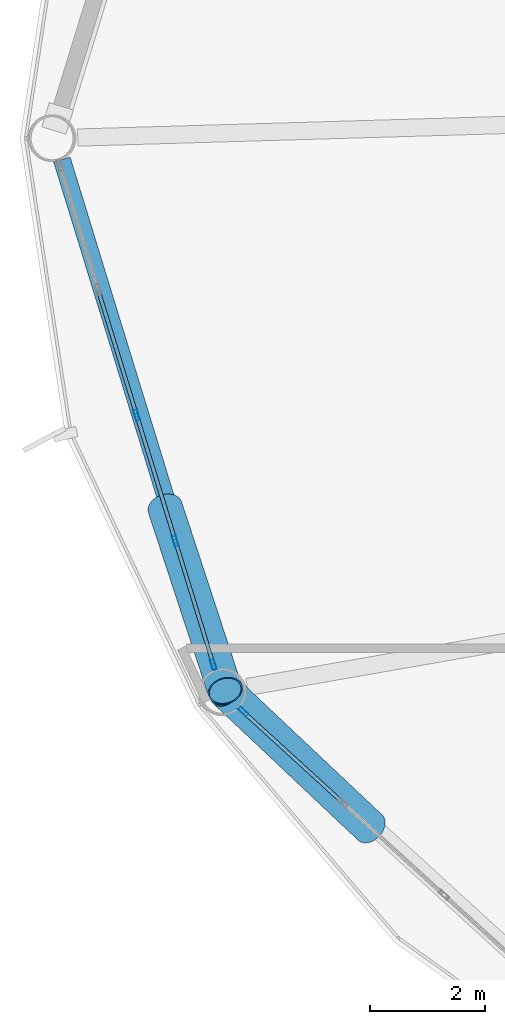
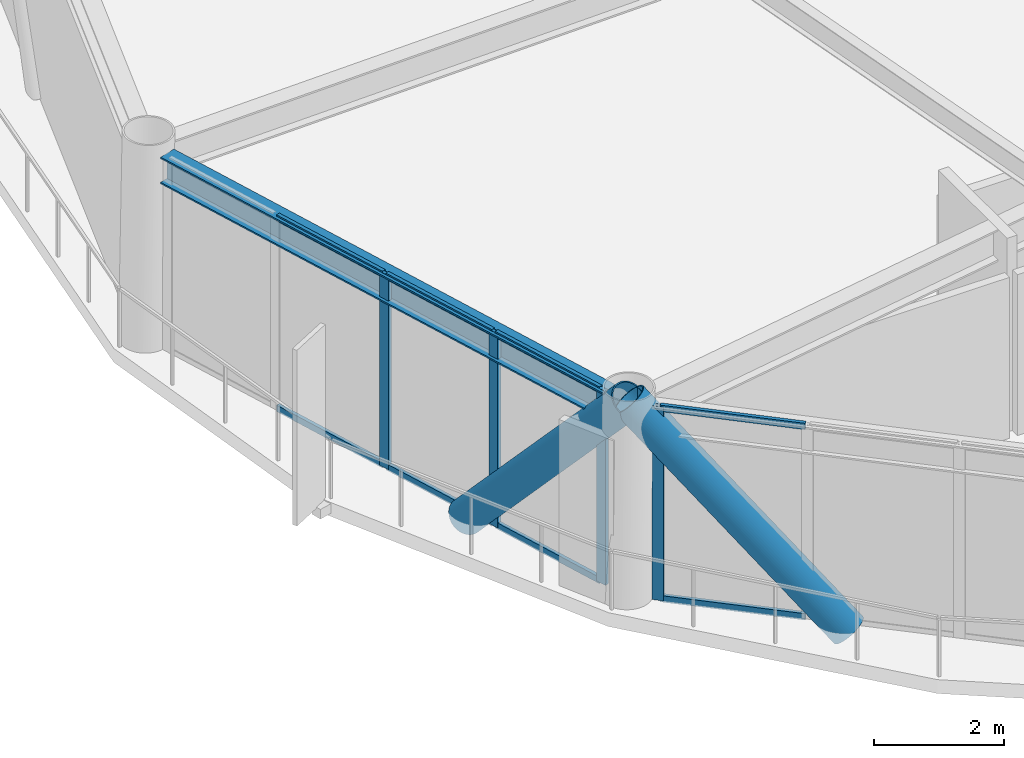
# One storey, part 4 of 24: 14 members, 1 beam, 2 elements without a shape of their own.
"""IFC4 building model written with IfcOpenShell, lengths in metres."""

from ifc_helpers import new_model, si_unit, direction, frame, origin, origin_2d, place, context, subcontext, project, spatial, hollow_rectangle, hollow_circle, i_section, extrude, material, layer, layer_set, material_profile, profile_set, type_object, element, aggregate, save


model = new_model("IFC4")

# Units and contexts
model_context = context("Model", 3, precision=1e-05, world=origin(), true_north=direction((0.0, 1.0)))
body_context = subcontext(model_context, "Body", "Model", "MODEL_VIEW")
ifc_project = project(units=[si_unit("LENGTHUNIT", "METRE"), si_unit("AREAUNIT", "SQUARE_METRE"), si_unit("VOLUMEUNIT", "CUBIC_METRE"), si_unit("PLANEANGLEUNIT", "RADIAN"), si_unit("MASSUNIT", "GRAM", prefix="KILO")], contexts=[model_context])

# Site, building, storey
site_placement = place(None, origin())
site = spatial("IfcSite", under=ifc_project, at=site_placement, CompositionType="ELEMENT")
building_placement = place(site_placement, origin())
building = spatial("IfcBuilding", under=site, at=building_placement, Name="Varnakorn Sky Granary", CompositionType="ELEMENT")
storey_placement = place(building_placement, frame((0.0, 0.0, 118.800048828125)))
storey = spatial("IfcBuildingStorey", under=building, at=storey_placement, Name="L29", CompositionType="ELEMENT", Elevation=118.800048828125)

# Beam
ifc_material_1 = material(Name="Steel S355JR", Category="steel")
ifc_material_profile_1 = material_profile(ifc_material_1, i_section(OverallWidth=0.300048828125, OverallDepth=0.5, WebThickness=0.014404296875, FlangeThickness=0.028076171875, at=origin_2d()), Name="HE 500 B")
ifc_profile_set_1 = profile_set([ifc_material_profile_1], Name="Steel S355JR")
beam_type = type_object("IfcBeamType", Name="BM-SPD-Z2", PredefinedType="SPANDREL", material=ifc_profile_set_1)
beam_placement = place(storey_placement, frame((-22.635009765625, -0.374267578125, 3.389892578125), z_axis=(0.293801908991, -0.955866328664, 0.0), x_axis=(0.955866328664, 0.293801908991, 0.0)))
element("IfcBeam", 1, at=beam_placement, inside=storey, type_object=beam_type, Name="Perimeter Spandrel Ring Beam RB07 L29", PredefinedType="SPANDREL", context=body_context, shape_type="SweptSolid", body=[
    extrude(i_section(OverallWidth=0.300048828125, OverallDepth=0.5, WebThickness=0.014404296875, FlangeThickness=0.028076171875, at=origin_2d()), origin(), (0.0, 0.0, 1.0), 9.30517578125),
])

# Curtain wall, members
ifc_material_2 = material(Name="Anodised Bronze Aluminium Alloy 6063-T6", Category="aluminium")
ifc_layer = layer(ifc_material_2, 0.179931640625, Name="Anodised Bronze Aluminium Alloy 6063-T6")
ifc_layer_set = layer_set([ifc_layer], Name="Anodised Bronze Aluminium Alloy 6063-T6")
curtain_wall_type = type_object("IfcCurtainWallType", Name="CW-FRM-2", PredefinedType="USERDEFINED", material=ifc_layer_set)
curtain_wall_1_placement = place(storey_placement, origin())
curtain_wall_1 = element("IfcCurtainWall", 2, at=curtain_wall_1_placement, inside=storey, type_object=curtain_wall_type, Name="Unitised Curtain Wall CW4 CW-L29-B07", ObjectType="CURTAIN WALL", PredefinedType="USERDEFINED")
ifc_material_profile_2 = material_profile(ifc_material_2, hollow_rectangle(XDim=0.070068359375, YDim=0.18505859375, WallThickness=0.00390625, at=origin_2d()), Name="ALU MULL 70x185")
ifc_profile_set_2 = profile_set([ifc_material_profile_2], Name="Anodised Bronze Aluminium Alloy 6063-T6")
member_type_1 = type_object("IfcMemberType", Name="CW-FRM-2-MULL", PredefinedType="MULLION", material=ifc_profile_set_2)
member_1_placement = place(storey_placement, frame((-19.99169921875, -9.187744140625, 0.0), z_axis=(0.0, 0.0, 1.0), x_axis=(-0.955823744525, -0.293940418116, 0.0)))
member_1 = element("IfcMember", 3, at=member_1_placement, type_object=member_type_1, Name="CW4 mullion 1", PredefinedType="MULLION", context=body_context, shape_type="SweptSolid", body=[
    extrude(hollow_rectangle(XDim=0.070068359375, YDim=0.18505859375, WallThickness=0.00390625, at=origin_2d()), origin(), (0.0, 0.0, 1.0), 3.639892578125),
])
member_2_placement = place(storey_placement, frame((-20.656005859375, -7.02734375, 0.0), z_axis=(0.0, 0.0, 1.0), x_axis=(-0.955823744525, -0.293940418116, 0.0)))
member_2 = element("IfcMember", 4, at=member_2_placement, type_object=member_type_1, Name="CW4 mullion 2", PredefinedType="MULLION", context=body_context, shape_type="SweptSolid", body=[
    extrude(hollow_rectangle(XDim=0.070068359375, YDim=0.18505859375, WallThickness=0.00390625, at=origin_2d()), origin(), (0.0, 0.0, 1.0), 3.639892578125),
])
member_3_placement = place(storey_placement, frame((-21.33056640625, -4.83349609375, 0.0), z_axis=(0.0, 0.0, 1.0), x_axis=(-0.955823744525, -0.293940418116, 0.0)))
member_3 = element("IfcMember", 5, at=member_3_placement, type_object=member_type_1, Name="CW4 mullion 3", PredefinedType="MULLION", context=body_context, shape_type="SweptSolid", body=[
    extrude(hollow_rectangle(XDim=0.070068359375, YDim=0.18505859375, WallThickness=0.00390625, at=origin_2d()), origin(), (0.0, 0.0, 1.0), 3.639892578125),
])

# Curtain wall, member
curtain_wall_2_placement = place(storey_placement, origin())
curtain_wall_2 = element("IfcCurtainWall", 6, at=curtain_wall_2_placement, inside=storey, type_object=curtain_wall_type, Name="Unitised Curtain Wall CW4 CW-L29-B08", ObjectType="CURTAIN WALL", PredefinedType="USERDEFINED")
member_4_placement = place(storey_placement, frame((-19.4736328125, -10.005126953125, 0.0), z_axis=(0.0, 0.0, 1.0), x_axis=(-0.674153081651, -0.738591648003, 0.0)))
member_4 = element("IfcMember", 7, at=member_4_placement, type_object=member_type_1, Name="CW4 mullion 5", PredefinedType="MULLION", context=body_context, shape_type="SweptSolid", body=[
    extrude(hollow_rectangle(XDim=0.070068359375, YDim=0.18505859375, WallThickness=0.00390625, at=origin_2d()), origin(), (0.0, 0.0, 1.0), 3.639892578125),
])

# Member
ifc_material_profile_3 = material_profile(ifc_material_2, hollow_rectangle(XDim=0.06494140625, YDim=0.1201171875, WallThickness=0.00341796875, at=origin_2d()), Name="ALU TRAN 65x120")
ifc_profile_set_3 = profile_set([ifc_material_profile_3], Name="Anodised Bronze Aluminium Alloy 6063-T6")
member_type_2 = type_object("IfcMemberType", Name="CW-FRM-2-TRAN", PredefinedType="USERDEFINED", material=ifc_profile_set_3)
member_5_placement = place(storey_placement, frame((-20.001953125, -9.154296875, 0.032470703125), z_axis=(-0.293937022502, 0.955824788757, 0.0), x_axis=(-0.955824788757, -0.293937022502, 0.0)))
member_5 = element("IfcMember", 8, at=member_5_placement, type_object=member_type_2, Name="CW4 transom 1.1", ObjectType="TRANSOM", PredefinedType="USERDEFINED", context=body_context, shape_type="SweptSolid", body=[
    extrude(hollow_rectangle(XDim=0.06494140625, YDim=0.1201171875, WallThickness=0.00341796875, at=origin_2d()), origin(), (0.0, 0.0, 1.0), 2.190185546875),
])

member_6_placement = place(storey_placement, frame((-20.001953125, -9.154296875, 3.607421875), z_axis=(-0.293937022502, 0.955824788757, 0.0), x_axis=(-0.955824788757, -0.293937022502, 0.0)))
member_6 = element("IfcMember", 9, at=member_6_placement, type_object=member_type_2, Name="CW4 transom 1.2", ObjectType="TRANSOM", PredefinedType="USERDEFINED", context=body_context, shape_type="SweptSolid", body=[
    extrude(hollow_rectangle(XDim=0.06494140625, YDim=0.1201171875, WallThickness=0.00341796875, at=origin_2d()), origin(), (0.0, 0.0, 1.0), 2.190185546875),
])

member_7_placement = place(storey_placement, frame((-20.666259765625, -6.993896484375, 0.032470703125), z_axis=(-0.293923942262, 0.955828811119, 0.0), x_axis=(-0.955828811119, -0.293923942262, 0.0)))
member_7 = element("IfcMember", 10, at=member_7_placement, type_object=member_type_2, Name="CW4 transom 2.1", ObjectType="TRANSOM", PredefinedType="USERDEFINED", context=body_context, shape_type="SweptSolid", body=[
    extrude(hollow_rectangle(XDim=0.06494140625, YDim=0.1201171875, WallThickness=0.00341796875, at=origin_2d()), origin(), (0.0, 0.0, 1.0), 2.225341796875),
])

member_8_placement = place(storey_placement, frame((-20.666259765625, -6.993896484375, 3.607421875), z_axis=(-0.293923942262, 0.955828811119, 0.0), x_axis=(-0.955828811119, -0.293923942262, 0.0)))
member_8 = element("IfcMember", 11, at=member_8_placement, type_object=member_type_2, Name="CW4 transom 2.2", ObjectType="TRANSOM", PredefinedType="USERDEFINED", context=body_context, shape_type="SweptSolid", body=[
    extrude(hollow_rectangle(XDim=0.06494140625, YDim=0.1201171875, WallThickness=0.00341796875, at=origin_2d()), origin(), (0.0, 0.0, 1.0), 2.225341796875),
])

member_9_placement = place(storey_placement, frame((-21.3408203125, -4.800048828125, 0.032470703125), z_axis=(-0.293923942262, 0.955828811119, 0.0), x_axis=(-0.955828811119, -0.293923942262, 0.0)))
member_9 = element("IfcMember", 12, at=member_9_placement, type_object=member_type_2, Name="CW4 transom 3.1", ObjectType="TRANSOM", PredefinedType="USERDEFINED", context=body_context, shape_type="SweptSolid", body=[
    extrude(hollow_rectangle(XDim=0.06494140625, YDim=0.1201171875, WallThickness=0.00341796875, at=origin_2d()), origin(), (0.0, 0.0, 1.0), 2.225341796875),
])

member_10_placement = place(storey_placement, frame((-21.3408203125, -4.800048828125, 3.607421875), z_axis=(-0.293923942262, 0.955828811119, 0.0), x_axis=(-0.955828811119, -0.293923942262, 0.0)))
member_10 = element("IfcMember", 13, at=member_10_placement, type_object=member_type_2, Name="CW4 transom 3.2", ObjectType="TRANSOM", PredefinedType="USERDEFINED", context=body_context, shape_type="SweptSolid", body=[
    extrude(hollow_rectangle(XDim=0.06494140625, YDim=0.1201171875, WallThickness=0.00341796875, at=origin_2d()), origin(), (0.0, 0.0, 1.0), 2.225341796875),
])

aggregate(curtain_wall_1, [member_1, member_2, member_3, member_5, member_6, member_7, member_8, member_9, member_10])

member_11_placement = place(storey_placement, frame((-17.759521484375, -11.56982421875, 0.032470703125), z_axis=(-0.738624207332, 0.674117408426, 0.0), x_axis=(-0.674117408426, -0.738624207332, 0.0)))
member_11 = element("IfcMember", 14, at=member_11_placement, type_object=member_type_2, Name="CW4 transom 4.1", ObjectType="TRANSOM", PredefinedType="USERDEFINED", context=body_context, shape_type="SweptSolid", body=[
    extrude(hollow_rectangle(XDim=0.06494140625, YDim=0.1201171875, WallThickness=0.00341796875, at=origin_2d()), origin(), (0.0, 0.0, 1.0), 2.285888671875),
])

member_12_placement = place(storey_placement, frame((-17.759521484375, -11.56982421875, 3.607421875), z_axis=(-0.738624207332, 0.674117408426, 0.0), x_axis=(-0.674117408426, -0.738624207332, 0.0)))
member_12 = element("IfcMember", 15, at=member_12_placement, type_object=member_type_2, Name="CW4 transom 4.2", ObjectType="TRANSOM", PredefinedType="USERDEFINED", context=body_context, shape_type="SweptSolid", body=[
    extrude(hollow_rectangle(XDim=0.06494140625, YDim=0.1201171875, WallThickness=0.00341796875, at=origin_2d()), origin(), (0.0, 0.0, 1.0), 2.285888671875),
])

aggregate(curtain_wall_2, [member_4, member_11, member_12])

# Members
ifc_material_3 = material(Name="Steel S460M", Category="steel")
ifc_material_profile_4 = material_profile(ifc_material_3, hollow_circle(Radius=0.304931640625, WallThickness=0.022216796875, at=origin_2d()), Name="CHS 610x22")
ifc_profile_set_4 = profile_set([ifc_material_profile_4], Name="Steel S460M")
member_type_3 = type_object("IfcMemberType", Name="MB-DIAG-T1", PredefinedType="BRACE", material=ifc_profile_set_4)
member_13_placement = place(storey_placement, frame((-20.835205078125, -6.444580078125, -0.130126953125), z_axis=(0.207568610593, -0.632849980773, 0.745933089313), x_axis=(0.950195391802, 0.311654804868, 0.0)))
element("IfcMember", 16, at=member_13_placement, inside=storey, type_object=member_type_3, Name="Perimeter CHS Diagrid Brace DG07 L29", PredefinedType="BRACE", context=body_context, shape_type="SweptSolid", body=[
    extrude(hollow_circle(Radius=0.304931640625, WallThickness=0.022216796875, at=origin_2d()), origin(), (0.0, 0.0, 1.0), 5.05419921875),
])
member_14_placement = place(storey_placement, frame((-17.259765625, -12.02587890625, -0.130126953125), z_axis=(-0.492876996596, 0.464870456782, 0.735505081314), x_axis=(-0.686136204299, -0.727473098575, 0.0)))
element("IfcMember", 17, at=member_14_placement, inside=storey, type_object=member_type_3, Name="Perimeter CHS Diagrid Brace DG08 L29", PredefinedType="BRACE", context=body_context, shape_type="SweptSolid", body=[
    extrude(hollow_circle(Radius=0.304931640625, WallThickness=0.022216796875, at=origin_2d()), origin(), (0.0, 0.0, 1.0), 5.125732421875),
])

save(model, "model.ifc")
